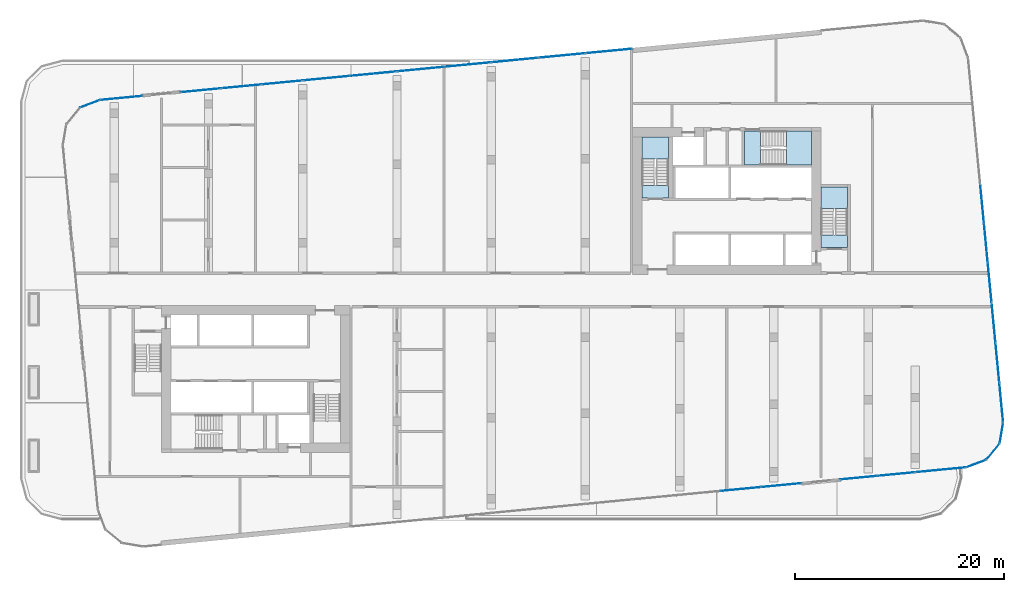
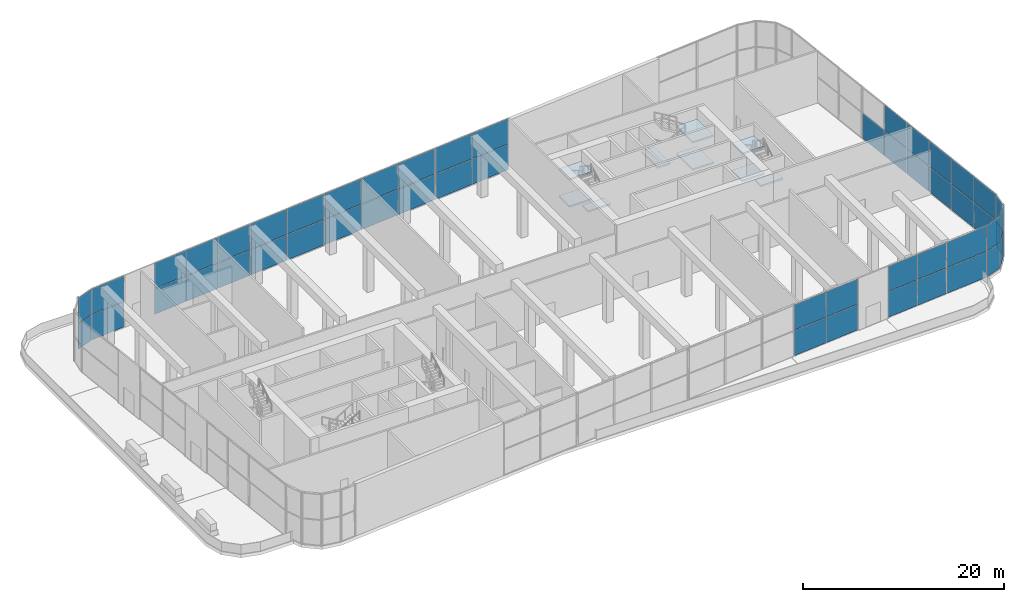
# One storey, part 10 of 25: 51 plates, 9 slabs, 17 elements without a shape of their own.
"""IFC4 building model written with IfcOpenShell, lengths in metres."""

from ifc_helpers import new_model, si_unit, direction, frame, origin, origin_2d, place, context, subcontext, project, spatial, polyline, rectangle, outline, extrude, material, layer, layer_set, type_object, element, aggregate, save


model = new_model("IFC4")

# Units and contexts
model_context = context("Model", 3, precision=1e-05, world=origin(), true_north=direction((0.0, 1.0)))
body_context = subcontext(model_context, "Body", "Model", "MODEL_VIEW")
ifc_project = project(units=[si_unit("LENGTHUNIT", "METRE"), si_unit("AREAUNIT", "SQUARE_METRE"), si_unit("VOLUMEUNIT", "CUBIC_METRE"), si_unit("PLANEANGLEUNIT", "RADIAN"), si_unit("MASSUNIT", "GRAM", prefix="KILO")], contexts=[model_context])

# Site, building, storey
site_placement = place(None, origin())
site = spatial("IfcSite", under=ifc_project, at=site_placement, CompositionType="ELEMENT")
building_placement = place(site_placement, origin())
building = spatial("IfcBuilding", under=site, at=building_placement, Name="Kajstack Hotel Tower", CompositionType="ELEMENT")
storey_placement = place(building_placement, frame((0.0, 0.0, 104.199951171875)))
storey = spatial("IfcBuildingStorey", under=building, at=storey_placement, Name="L22", CompositionType="ELEMENT", Elevation=104.199951171875)

# Curtain wall, plates
ifc_material_1 = material(Name="Aluminium-framed curtain wall, low-iron insulated glass", Category="aluminium")
curtain_wall_type = type_object("IfcCurtainWallType", Name="CW-GARDEN", PredefinedType="NOTDEFINED", material=ifc_material_1)
curtain_wall_1_placement = place(storey_placement, origin())
curtain_wall_1 = element("IfcCurtainWall", 1, at=curtain_wall_1_placement, inside=storey, type_object=curtain_wall_type, Name="Curtain wall CU6 L22-04-02-3", PredefinedType="NOTDEFINED")
ifc_material_2 = material(Name="Low-iron insulated glass", Category="glass")
ifc_layer_1 = layer(ifc_material_2, 0.0400390625)
ifc_layer_set_1 = layer_set([ifc_layer_1], Name="CW-P-GARDEN")
plate_type = type_object("IfcPlateType", Name="CW-P-GARDEN", PredefinedType="CURTAIN_PANEL", material=ifc_layer_set_1)
plate_1_placement = place(storey_placement, frame((23.846923828125, -19.012939453125, 0.06005859375), z_axis=(0.0, 0.0, 1.0), x_axis=(0.995396215044, 0.095845579329, 0.0)))
plate_1 = element("IfcPlate", 2, at=plate_1_placement, type_object=plate_type, Name="CU6 panel 2.1", PredefinedType="CURTAIN_PANEL", context=body_context, shape_type="SweptSolid", body=[
    extrude(rectangle(XDim=3.86083984375, YDim=0.0400390625, at=origin_2d()), origin(), (0.0, 0.0, 1.0), 3.070068359375),
])
plate_2_placement = place(storey_placement, frame((23.846923828125, -19.012939453125, 3.18994140625), z_axis=(0.0, 0.0, 1.0), x_axis=(0.995396215044, 0.095845579329, 0.0)))
plate_2 = element("IfcPlate", 3, at=plate_2_placement, type_object=plate_type, Name="CU6 panel 2.2", PredefinedType="CURTAIN_PANEL", context=body_context, shape_type="SweptSolid", body=[
    extrude(rectangle(XDim=3.86083984375, YDim=0.0400390625, at=origin_2d()), origin(), (0.0, 0.0, 1.0), 3.070068359375),
])
plate_3_placement = place(storey_placement, frame((27.73486328125, -18.638671875, 0.06005859375), z_axis=(0.0, 0.0, 1.0), x_axis=(0.995396215044, 0.095845579329, 0.0)))
plate_3 = element("IfcPlate", 4, at=plate_3_placement, type_object=plate_type, Name="CU6 panel 3.1", PredefinedType="CURTAIN_PANEL", context=body_context, shape_type="SweptSolid", body=[
    extrude(rectangle(XDim=3.830810546875, YDim=0.0400390625, at=origin_2d()), origin(), (0.0, 0.0, 1.0), 3.070068359375),
])
plate_4_placement = place(storey_placement, frame((27.73486328125, -18.638671875, 3.18994140625), z_axis=(0.0, 0.0, 1.0), x_axis=(0.995396215044, 0.095845579329, 0.0)))
plate_4 = element("IfcPlate", 5, at=plate_4_placement, type_object=plate_type, Name="CU6 panel 3.2", PredefinedType="CURTAIN_PANEL", context=body_context, shape_type="SweptSolid", body=[
    extrude(rectangle(XDim=3.830810546875, YDim=0.0400390625, at=origin_2d()), origin(), (0.0, 0.0, 1.0), 3.070068359375),
])
aggregate(curtain_wall_1, [plate_1, plate_2, plate_3, plate_4])

curtain_wall_2_placement = place(storey_placement, origin())
curtain_wall_2 = element("IfcCurtainWall", 6, at=curtain_wall_2_placement, inside=storey, type_object=curtain_wall_type, Name="Curtain wall CU6 L22-04-04-0", PredefinedType="NOTDEFINED")
plate_5_placement = place(storey_placement, frame((35.1015625, -17.929443359375, 0.06005859375), z_axis=(0.0, 0.0, 1.0), x_axis=(0.995396220594, 0.095845521686, 0.0)))
plate_5 = element("IfcPlate", 7, at=plate_5_placement, type_object=plate_type, Name="CU6 panel 1.1", PredefinedType="CURTAIN_PANEL", context=body_context, shape_type="SweptSolid", body=[
    extrude(rectangle(XDim=3.53076171875, YDim=0.0400390625, at=origin_2d()), origin(), (0.0, 0.0, 1.0), 3.070068359375),
])
plate_6_placement = place(storey_placement, frame((35.1015625, -17.929443359375, 3.18994140625), z_axis=(0.0, 0.0, 1.0), x_axis=(0.995396220594, 0.095845521686, 0.0)))
plate_6 = element("IfcPlate", 8, at=plate_6_placement, type_object=plate_type, Name="CU6 panel 1.2", PredefinedType="CURTAIN_PANEL", context=body_context, shape_type="SweptSolid", body=[
    extrude(rectangle(XDim=3.53076171875, YDim=0.0400390625, at=origin_2d()), origin(), (0.0, 0.0, 1.0), 3.070068359375),
])
plate_7_placement = place(storey_placement, frame((38.67578125, -17.585205078125, 0.06005859375), z_axis=(0.0, 0.0, 1.0), x_axis=(0.995396220594, 0.095845521686, 0.0)))
plate_7 = element("IfcPlate", 9, at=plate_7_placement, type_object=plate_type, Name="CU6 panel 2.1", PredefinedType="CURTAIN_PANEL", context=body_context, shape_type="SweptSolid", body=[
    extrude(rectangle(XDim=3.53076171875, YDim=0.0400390625, at=origin_2d()), origin(), (0.0, 0.0, 1.0), 3.070068359375),
])
plate_8_placement = place(storey_placement, frame((38.67578125, -17.585205078125, 3.18994140625), z_axis=(0.0, 0.0, 1.0), x_axis=(0.995396220594, 0.095845521686, 0.0)))
plate_8 = element("IfcPlate", 10, at=plate_8_placement, type_object=plate_type, Name="CU6 panel 2.2", PredefinedType="CURTAIN_PANEL", context=body_context, shape_type="SweptSolid", body=[
    extrude(rectangle(XDim=3.53076171875, YDim=0.0400390625, at=origin_2d()), origin(), (0.0, 0.0, 1.0), 3.070068359375),
])
aggregate(curtain_wall_2, [plate_5, plate_6, plate_7, plate_8])

curtain_wall_3_placement = place(storey_placement, origin())
curtain_wall_3 = element("IfcCurtainWall", 11, at=curtain_wall_3_placement, inside=storey, type_object=curtain_wall_type, Name="Curtain wall CU6 L22-04-04-1", PredefinedType="NOTDEFINED")
plate_9_placement = place(storey_placement, frame((42.93212890625, -17.17529296875, 0.06005859375), z_axis=(0.0, 0.0, 1.0), x_axis=(0.995396205734, 0.09584567601, 0.0)))
plate_9 = element("IfcPlate", 12, at=plate_9_placement, type_object=plate_type, Name="CU6 panel 1.1", PredefinedType="CURTAIN_PANEL", context=body_context, shape_type="SweptSolid", body=[
    extrude(rectangle(XDim=4.781494140625, YDim=0.0400390625, at=origin_2d()), origin(), (0.0, 0.0, 1.0), 3.070068359375),
])
plate_10_placement = place(storey_placement, frame((42.93212890625, -17.17529296875, 3.18994140625), z_axis=(0.0, 0.0, 1.0), x_axis=(0.995396205734, 0.09584567601, 0.0)))
plate_10 = element("IfcPlate", 13, at=plate_10_placement, type_object=plate_type, Name="CU6 panel 1.2", PredefinedType="CURTAIN_PANEL", context=body_context, shape_type="SweptSolid", body=[
    extrude(rectangle(XDim=4.781494140625, YDim=0.0400390625, at=origin_2d()), origin(), (0.0, 0.0, 1.0), 3.070068359375),
])
aggregate(curtain_wall_3, [plate_9, plate_10])

curtain_wall_4_placement = place(storey_placement, origin())
curtain_wall_4 = element("IfcCurtainWall", 14, at=curtain_wall_4_placement, inside=storey, type_object=curtain_wall_type, Name="Curtain wall CU6 L22-05-00-0", PredefinedType="NOTDEFINED")
plate_11_placement = place(storey_placement, frame((46.322265625, -16.582275390625, 0.06005859375), z_axis=(0.0, 0.0, 1.0), x_axis=(0.936680004881, 0.350186476689, 0.0)))
plate_11 = element("IfcPlate", 15, at=plate_11_placement, type_object=plate_type, Name="CU6 panel 1.1", PredefinedType="CURTAIN_PANEL", context=body_context, shape_type="SweptSolid", body=[
    extrude(rectangle(XDim=1.95068359375, YDim=0.0400390625, at=origin_2d()), origin(), (0.0, 0.0, 1.0), 3.070068359375),
])
plate_12_placement = place(storey_placement, frame((46.322265625, -16.582275390625, 3.18994140625), z_axis=(0.0, 0.0, 1.0), x_axis=(0.936680004881, 0.350186476689, 0.0)))
plate_12 = element("IfcPlate", 16, at=plate_12_placement, type_object=plate_type, Name="CU6 panel 1.2", PredefinedType="CURTAIN_PANEL", context=body_context, shape_type="SweptSolid", body=[
    extrude(rectangle(XDim=1.95068359375, YDim=0.0400390625, at=origin_2d()), origin(), (0.0, 0.0, 1.0), 3.070068359375),
])
aggregate(curtain_wall_4, [plate_11, plate_12])

curtain_wall_5_placement = place(storey_placement, origin())
curtain_wall_5 = element("IfcCurtainWall", 17, at=curtain_wall_5_placement, inside=storey, type_object=curtain_wall_type, Name="Curtain wall CU6 L22-06-00-0", PredefinedType="NOTDEFINED")
plate_13_placement = place(storey_placement, frame((47.9189453125, -15.443359375, 0.06005859375), z_axis=(0.0, 0.0, 1.0), x_axis=(0.636066072627, 0.771634596978, 0.0)))
plate_13 = element("IfcPlate", 18, at=plate_13_placement, type_object=plate_type, Name="CU6 panel 1.1", PredefinedType="CURTAIN_PANEL", context=body_context, shape_type="SweptSolid", body=[
    extrude(rectangle(XDim=1.950439453125, YDim=0.0400390625, at=origin_2d()), origin(), (0.0, 0.0, 1.0), 3.070068359375),
])
plate_14_placement = place(storey_placement, frame((47.9189453125, -15.443359375, 3.18994140625), z_axis=(0.0, 0.0, 1.0), x_axis=(0.636066072627, 0.771634596978, 0.0)))
plate_14 = element("IfcPlate", 19, at=plate_14_placement, type_object=plate_type, Name="CU6 panel 1.2", PredefinedType="CURTAIN_PANEL", context=body_context, shape_type="SweptSolid", body=[
    extrude(rectangle(XDim=1.950439453125, YDim=0.0400390625, at=origin_2d()), origin(), (0.0, 0.0, 1.0), 3.070068359375),
])
aggregate(curtain_wall_5, [plate_13, plate_14])

curtain_wall_6_placement = place(storey_placement, origin())
curtain_wall_6 = element("IfcCurtainWall", 20, at=curtain_wall_6_placement, inside=storey, type_object=curtain_wall_type, Name="Curtain wall CU6 L22-07-00-0", PredefinedType="NOTDEFINED")
plate_15_placement = place(storey_placement, frame((48.732177734375, -13.658935546875, 0.06005859375), z_axis=(0.0, 0.0, 1.0), x_axis=(0.165025489464, 0.986289302298, 0.0)))
plate_15 = element("IfcPlate", 21, at=plate_15_placement, type_object=plate_type, Name="CU6 panel 1.1", PredefinedType="CURTAIN_PANEL", context=body_context, shape_type="SweptSolid", body=[
    extrude(rectangle(XDim=1.95068359375, YDim=0.0400390625, at=origin_2d()), origin(), (0.0, 0.0, 1.0), 3.070068359375),
])
plate_16_placement = place(storey_placement, frame((48.732177734375, -13.658935546875, 3.18994140625), z_axis=(0.0, 0.0, 1.0), x_axis=(0.165025489464, 0.986289302298, 0.0)))
plate_16 = element("IfcPlate", 22, at=plate_16_placement, type_object=plate_type, Name="CU6 panel 1.2", PredefinedType="CURTAIN_PANEL", context=body_context, shape_type="SweptSolid", body=[
    extrude(rectangle(XDim=1.95068359375, YDim=0.0400390625, at=origin_2d()), origin(), (0.0, 0.0, 1.0), 3.070068359375),
])
aggregate(curtain_wall_6, [plate_15, plate_16])

curtain_wall_7_placement = place(storey_placement, origin())
curtain_wall_7 = element("IfcCurtainWall", 23, at=curtain_wall_7_placement, inside=storey, type_object=curtain_wall_type, Name="Curtain wall CU6 L22-08-00-0", PredefinedType="NOTDEFINED")
plate_17_placement = place(storey_placement, frame((48.717041015625, -10.73388671875, 0.06005859375), z_axis=(0.0, 0.0, 1.0), x_axis=(-0.095845904308, 0.995396183752, 0.0)))
plate_17 = element("IfcPlate", 24, at=plate_17_placement, type_object=plate_type, Name="CU6 panel 1.1", PredefinedType="CURTAIN_PANEL", context=body_context, shape_type="SweptSolid", body=[
    extrude(rectangle(XDim=3.744384765625, YDim=0.0400390625, at=origin_2d()), origin(), (0.0, 0.0, 1.0), 3.070068359375),
])
plate_18_placement = place(storey_placement, frame((48.717041015625, -10.73388671875, 3.18994140625), z_axis=(0.0, 0.0, 1.0), x_axis=(-0.095845904308, 0.995396183752, 0.0)))
plate_18 = element("IfcPlate", 25, at=plate_18_placement, type_object=plate_type, Name="CU6 panel 1.2", PredefinedType="CURTAIN_PANEL", context=body_context, shape_type="SweptSolid", body=[
    extrude(rectangle(XDim=3.744384765625, YDim=0.0400390625, at=origin_2d()), origin(), (0.0, 0.0, 1.0), 3.070068359375),
])
plate_19_placement = place(storey_placement, frame((48.35107421875, -6.93212890625, 0.06005859375), z_axis=(0.0, 0.0, 1.0), x_axis=(-0.095845904308, 0.995396183752, 0.0)))
plate_19 = element("IfcPlate", 26, at=plate_19_placement, type_object=plate_type, Name="CU6 panel 2.1", PredefinedType="CURTAIN_PANEL", context=body_context, shape_type="SweptSolid", body=[
    extrude(rectangle(XDim=3.7744140625, YDim=0.0400390625, at=origin_2d()), origin(), (0.0, 0.0, 1.0), 3.070068359375),
])
plate_20_placement = place(storey_placement, frame((48.35107421875, -6.93212890625, 3.18994140625), z_axis=(0.0, 0.0, 1.0), x_axis=(-0.095845904308, 0.995396183752, 0.0)))
plate_20 = element("IfcPlate", 27, at=plate_20_placement, type_object=plate_type, Name="CU6 panel 2.2", PredefinedType="CURTAIN_PANEL", context=body_context, shape_type="SweptSolid", body=[
    extrude(rectangle(XDim=3.7744140625, YDim=0.0400390625, at=origin_2d()), origin(), (0.0, 0.0, 1.0), 3.070068359375),
])
plate_21_placement = place(storey_placement, frame((47.985107421875, -3.13037109375, 0.06005859375), z_axis=(0.0, 0.0, 1.0), x_axis=(-0.095845904308, 0.995396183752, 0.0)))
plate_21 = element("IfcPlate", 28, at=plate_21_placement, type_object=plate_type, Name="CU6 panel 3.1", PredefinedType="CURTAIN_PANEL", context=body_context, shape_type="SweptSolid", body=[
    extrude(rectangle(XDim=3.744384765625, YDim=0.0400390625, at=origin_2d()), origin(), (0.0, 0.0, 1.0), 3.070068359375),
])
plate_22_placement = place(storey_placement, frame((47.985107421875, -3.13037109375, 3.18994140625), z_axis=(0.0, 0.0, 1.0), x_axis=(-0.095845904308, 0.995396183752, 0.0)))
plate_22 = element("IfcPlate", 29, at=plate_22_placement, type_object=plate_type, Name="CU6 panel 3.2", PredefinedType="CURTAIN_PANEL", context=body_context, shape_type="SweptSolid", body=[
    extrude(rectangle(XDim=3.744384765625, YDim=0.0400390625, at=origin_2d()), origin(), (0.0, 0.0, 1.0), 3.070068359375),
])
aggregate(curtain_wall_7, [plate_17, plate_18, plate_19, plate_20, plate_21, plate_22])

curtain_wall_8_placement = place(storey_placement, origin())
curtain_wall_8 = element("IfcCurtainWall", 30, at=curtain_wall_8_placement, inside=storey, type_object=curtain_wall_type, Name="Curtain wall CU6 L22-08-00-1", PredefinedType="NOTDEFINED")
plate_23_placement = place(storey_placement, frame((47.615478515625, 0.707763671875, 0.06005859375), z_axis=(0.0, 0.0, 1.0), x_axis=(-0.095845864541, 0.995396187581, 0.0)))
plate_23 = element("IfcPlate", 31, at=plate_23_placement, type_object=plate_type, Name="CU6 panel 1.1", PredefinedType="CURTAIN_PANEL", context=body_context, shape_type="SweptSolid", body=[
    extrude(rectangle(XDim=3.7275390625, YDim=0.0400390625, at=origin_2d()), origin(), (0.0, 0.0, 1.0), 3.070068359375),
])
plate_24_placement = place(storey_placement, frame((47.615478515625, 0.707763671875, 3.18994140625), z_axis=(0.0, 0.0, 1.0), x_axis=(-0.095845864541, 0.995396187581, 0.0)))
plate_24 = element("IfcPlate", 32, at=plate_24_placement, type_object=plate_type, Name="CU6 panel 1.2", PredefinedType="CURTAIN_PANEL", context=body_context, shape_type="SweptSolid", body=[
    extrude(rectangle(XDim=3.7275390625, YDim=0.0400390625, at=origin_2d()), origin(), (0.0, 0.0, 1.0), 3.070068359375),
])
plate_25_placement = place(storey_placement, frame((47.2509765625, 4.492919921875, 0.06005859375), z_axis=(0.0, 0.0, 1.0), x_axis=(-0.095845864541, 0.995396187581, 0.0)))
plate_25 = element("IfcPlate", 33, at=plate_25_placement, type_object=plate_type, Name="CU6 panel 2.1", PredefinedType="CURTAIN_PANEL", context=body_context, shape_type="SweptSolid", body=[
    extrude(rectangle(XDim=3.757568359375, YDim=0.0400390625, at=origin_2d()), origin(), (0.0, 0.0, 1.0), 3.070068359375),
])
plate_26_placement = place(storey_placement, frame((47.2509765625, 4.492919921875, 3.18994140625), z_axis=(0.0, 0.0, 1.0), x_axis=(-0.095845864541, 0.995396187581, 0.0)))
plate_26 = element("IfcPlate", 34, at=plate_26_placement, type_object=plate_type, Name="CU6 panel 2.2", PredefinedType="CURTAIN_PANEL", context=body_context, shape_type="SweptSolid", body=[
    extrude(rectangle(XDim=3.757568359375, YDim=0.0400390625, at=origin_2d()), origin(), (0.0, 0.0, 1.0), 3.070068359375),
])
plate_27_placement = place(storey_placement, frame((46.886474609375, 8.27783203125, 0.06005859375), z_axis=(0.0, 0.0, 1.0), x_axis=(-0.095845864541, 0.995396187581, 0.0)))
plate_27 = element("IfcPlate", 35, at=plate_27_placement, type_object=plate_type, Name="CU6 panel 3.1", PredefinedType="CURTAIN_PANEL", context=body_context, shape_type="SweptSolid", body=[
    extrude(rectangle(XDim=3.7275390625, YDim=0.0400390625, at=origin_2d()), origin(), (0.0, 0.0, 1.0), 3.070068359375),
])
aggregate(curtain_wall_8, [plate_23, plate_24, plate_25, plate_26, plate_27])

curtain_wall_9_placement = place(storey_placement, origin())
curtain_wall_9 = element("IfcCurtainWall", 36, at=curtain_wall_9_placement, inside=storey, type_object=curtain_wall_type, Name="Curtain wall CU6 L22-12-02-0", PredefinedType="NOTDEFINED")
plate_28_placement = place(storey_placement, frame((11.2421875, 22.821533203125, 0.06005859375), z_axis=(0.0, 0.0, 1.0), x_axis=(-0.995396218735, -0.095845540987, 0.0)))
plate_28 = element("IfcPlate", 37, at=plate_28_placement, type_object=plate_type, Name="CU6 panel 1.1", PredefinedType="CURTAIN_PANEL", context=body_context, shape_type="SweptSolid", body=[
    extrude(rectangle(XDim=4.430908203125, YDim=0.0400390625, at=origin_2d()), origin(), (0.0, 0.0, 1.0), 3.070068359375),
])
plate_29_placement = place(storey_placement, frame((11.2421875, 22.821533203125, 3.18994140625), z_axis=(0.0, 0.0, 1.0), x_axis=(-0.995396218735, -0.095845540987, 0.0)))
plate_29 = element("IfcPlate", 38, at=plate_29_placement, type_object=plate_type, Name="CU6 panel 1.2", PredefinedType="CURTAIN_PANEL", context=body_context, shape_type="SweptSolid", body=[
    extrude(rectangle(XDim=4.430908203125, YDim=0.0400390625, at=origin_2d()), origin(), (0.0, 0.0, 1.0), 3.070068359375),
])
plate_30_placement = place(storey_placement, frame((6.772216796875, 22.39111328125, 0.06005859375), z_axis=(0.0, 0.0, 1.0), x_axis=(-0.995396218735, -0.095845540987, 0.0)))
plate_30 = element("IfcPlate", 39, at=plate_30_placement, type_object=plate_type, Name="CU6 panel 2.1", PredefinedType="CURTAIN_PANEL", context=body_context, shape_type="SweptSolid", body=[
    extrude(rectangle(XDim=4.430908203125, YDim=0.0400390625, at=origin_2d()), origin(), (0.0, 0.0, 1.0), 3.070068359375),
])
plate_31_placement = place(storey_placement, frame((6.772216796875, 22.39111328125, 3.18994140625), z_axis=(0.0, 0.0, 1.0), x_axis=(-0.995396218735, -0.095845540987, 0.0)))
plate_31 = element("IfcPlate", 40, at=plate_31_placement, type_object=plate_type, Name="CU6 panel 2.2", PredefinedType="CURTAIN_PANEL", context=body_context, shape_type="SweptSolid", body=[
    extrude(rectangle(XDim=4.430908203125, YDim=0.0400390625, at=origin_2d()), origin(), (0.0, 0.0, 1.0), 3.070068359375),
])
aggregate(curtain_wall_9, [plate_28, plate_29, plate_30, plate_31])

curtain_wall_10_placement = place(storey_placement, origin())
curtain_wall_10 = element("IfcCurtainWall", 41, at=curtain_wall_10_placement, inside=storey, type_object=curtain_wall_type, Name="Curtain wall CU6 L22-12-02-1", PredefinedType="NOTDEFINED")
plate_32_placement = place(storey_placement, frame((2.2421875, 21.954833984375, 0.06005859375), z_axis=(0.0, 0.0, 1.0), x_axis=(-0.995396215218, -0.095845577523, 0.0)))
plate_32 = element("IfcPlate", 42, at=plate_32_placement, type_object=plate_type, Name="CU6 panel 1.1", PredefinedType="CURTAIN_PANEL", context=body_context, shape_type="SweptSolid", body=[
    extrude(rectangle(XDim=4.430908203125, YDim=0.0400390625, at=origin_2d()), origin(), (0.0, 0.0, 1.0), 3.070068359375),
])
plate_33_placement = place(storey_placement, frame((2.2421875, 21.954833984375, 3.18994140625), z_axis=(0.0, 0.0, 1.0), x_axis=(-0.995396215218, -0.095845577523, 0.0)))
plate_33 = element("IfcPlate", 43, at=plate_33_placement, type_object=plate_type, Name="CU6 panel 1.2", PredefinedType="CURTAIN_PANEL", context=body_context, shape_type="SweptSolid", body=[
    extrude(rectangle(XDim=4.430908203125, YDim=0.0400390625, at=origin_2d()), origin(), (0.0, 0.0, 1.0), 3.070068359375),
])
plate_34_placement = place(storey_placement, frame((-2.24267578125, 21.52294921875, 0.06005859375), z_axis=(0.0, 0.0, 1.0), x_axis=(-0.995396215218, -0.095845577523, 0.0)))
plate_34 = element("IfcPlate", 44, at=plate_34_placement, type_object=plate_type, Name="CU6 panel 2.1", PredefinedType="CURTAIN_PANEL", context=body_context, shape_type="SweptSolid", body=[
    extrude(rectangle(XDim=4.460693359375, YDim=0.0400390625, at=origin_2d()), origin(), (0.0, 0.0, 1.0), 3.070068359375),
])
plate_35_placement = place(storey_placement, frame((-2.24267578125, 21.52294921875, 3.18994140625), z_axis=(0.0, 0.0, 1.0), x_axis=(-0.995396215218, -0.095845577523, 0.0)))
plate_35 = element("IfcPlate", 45, at=plate_35_placement, type_object=plate_type, Name="CU6 panel 2.2", PredefinedType="CURTAIN_PANEL", context=body_context, shape_type="SweptSolid", body=[
    extrude(rectangle(XDim=4.460693359375, YDim=0.0400390625, at=origin_2d()), origin(), (0.0, 0.0, 1.0), 3.070068359375),
])
plate_36_placement = place(storey_placement, frame((-6.727783203125, 21.091064453125, 0.06005859375), z_axis=(0.0, 0.0, 1.0), x_axis=(-0.995396215218, -0.095845577523, 0.0)))
plate_36 = element("IfcPlate", 46, at=plate_36_placement, type_object=plate_type, Name="CU6 panel 3.1", PredefinedType="CURTAIN_PANEL", context=body_context, shape_type="SweptSolid", body=[
    extrude(rectangle(XDim=4.430908203125, YDim=0.0400390625, at=origin_2d()), origin(), (0.0, 0.0, 1.0), 3.070068359375),
])
plate_37_placement = place(storey_placement, frame((-6.727783203125, 21.091064453125, 3.18994140625), z_axis=(0.0, 0.0, 1.0), x_axis=(-0.995396215218, -0.095845577523, 0.0)))
plate_37 = element("IfcPlate", 47, at=plate_37_placement, type_object=plate_type, Name="CU6 panel 3.2", PredefinedType="CURTAIN_PANEL", context=body_context, shape_type="SweptSolid", body=[
    extrude(rectangle(XDim=4.430908203125, YDim=0.0400390625, at=origin_2d()), origin(), (0.0, 0.0, 1.0), 3.070068359375),
])
aggregate(curtain_wall_10, [plate_32, plate_33, plate_34, plate_35, plate_36, plate_37])

curtain_wall_11_placement = place(storey_placement, origin())
curtain_wall_11 = element("IfcCurtainWall", 48, at=curtain_wall_11_placement, inside=storey, type_object=curtain_wall_type, Name="Curtain wall CU6 L22-12-02-2", PredefinedType="NOTDEFINED")
plate_38_placement = place(storey_placement, frame((-11.2578125, 20.655029296875, 0.06005859375), z_axis=(0.0, 0.0, 1.0), x_axis=(-0.995396214819, -0.095845581657, 0.0)))
plate_38 = element("IfcPlate", 49, at=plate_38_placement, type_object=plate_type, Name="CU6 panel 1.1", PredefinedType="CURTAIN_PANEL", context=body_context, shape_type="SweptSolid", body=[
    extrude(rectangle(XDim=4.430908203125, YDim=0.0400390625, at=origin_2d()), origin(), (0.0, 0.0, 1.0), 3.070068359375),
])
plate_39_placement = place(storey_placement, frame((-11.2578125, 20.655029296875, 3.18994140625), z_axis=(0.0, 0.0, 1.0), x_axis=(-0.995396214819, -0.095845581657, 0.0)))
plate_39 = element("IfcPlate", 50, at=plate_39_placement, type_object=plate_type, Name="CU6 panel 1.2", PredefinedType="CURTAIN_PANEL", context=body_context, shape_type="SweptSolid", body=[
    extrude(rectangle(XDim=4.430908203125, YDim=0.0400390625, at=origin_2d()), origin(), (0.0, 0.0, 1.0), 3.070068359375),
])
plate_40_placement = place(storey_placement, frame((-15.727783203125, 20.224609375, 0.06005859375), z_axis=(0.0, 0.0, 1.0), x_axis=(-0.995396214819, -0.095845581657, 0.0)))
plate_40 = element("IfcPlate", 51, at=plate_40_placement, type_object=plate_type, Name="CU6 panel 2.1", PredefinedType="CURTAIN_PANEL", context=body_context, shape_type="SweptSolid", body=[
    extrude(rectangle(XDim=4.430908203125, YDim=0.0400390625, at=origin_2d()), origin(), (0.0, 0.0, 1.0), 3.070068359375),
])
plate_41_placement = place(storey_placement, frame((-15.727783203125, 20.224609375, 3.18994140625), z_axis=(0.0, 0.0, 1.0), x_axis=(-0.995396214819, -0.095845581657, 0.0)))
plate_41 = element("IfcPlate", 52, at=plate_41_placement, type_object=plate_type, Name="CU6 panel 2.2", PredefinedType="CURTAIN_PANEL", context=body_context, shape_type="SweptSolid", body=[
    extrude(rectangle(XDim=4.430908203125, YDim=0.0400390625, at=origin_2d()), origin(), (0.0, 0.0, 1.0), 3.070068359375),
])
aggregate(curtain_wall_11, [plate_38, plate_39, plate_40, plate_41])

curtain_wall_12_placement = place(storey_placement, origin())
curtain_wall_12 = element("IfcCurtainWall", 53, at=curtain_wall_12_placement, inside=storey, type_object=curtain_wall_type, Name="Curtain wall CU6 L22-12-02-3", PredefinedType="NOTDEFINED")
plate_42_placement = place(storey_placement, frame((-19.959228515625, 19.817138671875, 0.06005859375), z_axis=(0.0, 0.0, 1.0), x_axis=(-0.995396215044, -0.095845579329, 0.0)))
plate_42 = element("IfcPlate", 54, at=plate_42_placement, type_object=plate_type, Name="CU6 panel 1.1", PredefinedType="CURTAIN_PANEL", context=body_context, shape_type="SweptSolid", body=[
    extrude(rectangle(XDim=3.830810546875, YDim=0.0400390625, at=origin_2d()), origin(), (0.0, 0.0, 1.0), 3.070068359375),
])
plate_43_placement = place(storey_placement, frame((-19.959228515625, 19.817138671875, 3.18994140625), z_axis=(0.0, 0.0, 1.0), x_axis=(-0.995396215044, -0.095845579329, 0.0)))
plate_43 = element("IfcPlate", 55, at=plate_43_placement, type_object=plate_type, Name="CU6 panel 1.2", PredefinedType="CURTAIN_PANEL", context=body_context, shape_type="SweptSolid", body=[
    extrude(rectangle(XDim=3.830810546875, YDim=0.0400390625, at=origin_2d()), origin(), (0.0, 0.0, 1.0), 3.070068359375),
])
plate_44_placement = place(storey_placement, frame((-23.846923828125, 19.442626953125, 0.06005859375), z_axis=(0.0, 0.0, 1.0), x_axis=(-0.995396215044, -0.095845579329, 0.0)))
plate_44 = element("IfcPlate", 56, at=plate_44_placement, type_object=plate_type, Name="CU6 panel 2.1", PredefinedType="CURTAIN_PANEL", context=body_context, shape_type="SweptSolid", body=[
    extrude(rectangle(XDim=3.86083984375, YDim=0.0400390625, at=origin_2d()), origin(), (0.0, 0.0, 1.0), 3.070068359375),
])
plate_45_placement = place(storey_placement, frame((-23.846923828125, 19.442626953125, 3.18994140625), z_axis=(0.0, 0.0, 1.0), x_axis=(-0.995396215044, -0.095845579329, 0.0)))
plate_45 = element("IfcPlate", 57, at=plate_45_placement, type_object=plate_type, Name="CU6 panel 2.2", PredefinedType="CURTAIN_PANEL", context=body_context, shape_type="SweptSolid", body=[
    extrude(rectangle(XDim=3.86083984375, YDim=0.0400390625, at=origin_2d()), origin(), (0.0, 0.0, 1.0), 3.070068359375),
])
plate_46_placement = place(storey_placement, frame((-27.73486328125, 19.068359375, 0.06005859375), z_axis=(0.0, 0.0, 1.0), x_axis=(-0.995396215044, -0.095845579329, 0.0)))
plate_46 = element("IfcPlate", 58, at=plate_46_placement, type_object=plate_type, Name="CU6 panel 3.1", PredefinedType="CURTAIN_PANEL", context=body_context, shape_type="SweptSolid", body=[
    extrude(rectangle(XDim=3.830810546875, YDim=0.0400390625, at=origin_2d()), origin(), (0.0, 0.0, 1.0), 3.070068359375),
])
plate_47_placement = place(storey_placement, frame((-27.73486328125, 19.068359375, 3.18994140625), z_axis=(0.0, 0.0, 1.0), x_axis=(-0.995396215044, -0.095845579329, 0.0)))
plate_47 = element("IfcPlate", 59, at=plate_47_placement, type_object=plate_type, Name="CU6 panel 3.2", PredefinedType="CURTAIN_PANEL", context=body_context, shape_type="SweptSolid", body=[
    extrude(rectangle(XDim=3.830810546875, YDim=0.0400390625, at=origin_2d()), origin(), (0.0, 0.0, 1.0), 3.070068359375),
])
aggregate(curtain_wall_12, [plate_42, plate_43, plate_44, plate_45, plate_46, plate_47])

curtain_wall_13_placement = place(storey_placement, origin())
curtain_wall_13 = element("IfcCurtainWall", 60, at=curtain_wall_13_placement, inside=storey, type_object=curtain_wall_type, Name="Curtain wall CU6 L22-12-04-0", PredefinedType="NOTDEFINED")
plate_48_placement = place(storey_placement, frame((-35.328125, 18.337158203125, 0.06005859375), z_axis=(0.0, 0.0, 1.0), x_axis=(-0.995396214167, -0.095845588433, 0.0)))
plate_48 = element("IfcPlate", 61, at=plate_48_placement, type_object=plate_type, Name="CU6 panel 1.1", PredefinedType="CURTAIN_PANEL", context=body_context, shape_type="SweptSolid", body=[
    extrude(rectangle(XDim=3.986083984375, YDim=0.0400390625, at=origin_2d()), origin(), (0.0, 0.0, 1.0), 3.070068359375),
])
plate_49_placement = place(storey_placement, frame((-35.328125, 18.337158203125, 3.18994140625), z_axis=(0.0, 0.0, 1.0), x_axis=(-0.995396214167, -0.095845588433, 0.0)))
plate_49 = element("IfcPlate", 62, at=plate_49_placement, type_object=plate_type, Name="CU6 panel 1.2", PredefinedType="CURTAIN_PANEL", context=body_context, shape_type="SweptSolid", body=[
    extrude(rectangle(XDim=3.986083984375, YDim=0.0400390625, at=origin_2d()), origin(), (0.0, 0.0, 1.0), 3.070068359375),
])
aggregate(curtain_wall_13, [plate_48, plate_49])

curtain_wall_14_placement = place(storey_placement, origin())
curtain_wall_14 = element("IfcCurtainWall", 63, at=curtain_wall_14_placement, inside=storey, type_object=curtain_wall_type, Name="Curtain wall CU6 L22-13-00-0", PredefinedType="NOTDEFINED")
plate_50_placement = place(storey_placement, frame((-38.322265625, 17.7822265625, 0.06005859375), z_axis=(0.0, 0.0, 1.0), x_axis=(-0.936680004881, -0.350186476689, 0.0)))
plate_50 = element("IfcPlate", 64, at=plate_50_placement, type_object=plate_type, Name="CU6 panel 1.1", PredefinedType="CURTAIN_PANEL", context=body_context, shape_type="SweptSolid", body=[
    extrude(rectangle(XDim=1.95068359375, YDim=0.0400390625, at=origin_2d()), origin(), (0.0, 0.0, 1.0), 3.070068359375),
])
plate_51_placement = place(storey_placement, frame((-38.322265625, 17.7822265625, 3.18994140625), z_axis=(0.0, 0.0, 1.0), x_axis=(-0.936680004881, -0.350186476689, 0.0)))
plate_51 = element("IfcPlate", 65, at=plate_51_placement, type_object=plate_type, Name="CU6 panel 1.2", PredefinedType="CURTAIN_PANEL", context=body_context, shape_type="SweptSolid", body=[
    extrude(rectangle(XDim=1.95068359375, YDim=0.0400390625, at=origin_2d()), origin(), (0.0, 0.0, 1.0), 3.070068359375),
])
aggregate(curtain_wall_14, [plate_50, plate_51])

# Stair, slabs
ifc_material_3 = material(Name="Concrete C40/50", Category="concrete")
stair_type_1 = type_object("IfcStairType", Name="Exit stair 1200", PredefinedType="HALF_TURN_STAIR", material=ifc_material_3)
stair_1_placement = place(storey_placement, origin())
stair_1 = element("IfcStair", 66, at=stair_1_placement, inside=storey, type_object=stair_type_1, Name="L22 stair E1", PredefinedType="HALF_TURN_STAIR")
ifc_layer_2 = layer(ifc_material_3, 0.199951171875)
ifc_layer_set_2 = layer_set([ifc_layer_2], Name="Stair landing 200")
slab_type = type_object("IfcSlabType", Name="Stair landing 200", PredefinedType="LANDING", material=ifc_layer_set_2)
slab_1_placement = place(storey_placement, frame((0.0, 0.0, 1.449951171875)))
slab_1 = element("IfcSlab", 67, at=slab_1_placement, type_object=slab_type, Name="E1 landing 1", PredefinedType="LANDING", context=body_context, shape_type="SweptSolid", body=[
    extrude(outline(polyline([(34.050048828125, 7.77001953125), (34.050048828125, 9.85009765625), (31.5, 9.85009765625), (31.5, 7.77001953125), (34.050048828125, 7.77001953125)])), origin(), (0.0, 0.0, 1.0), 0.2001953125),
])
slab_2_placement = place(storey_placement, frame((0.0, 0.0, 3.10009765625)))
slab_2 = element("IfcSlab", 68, at=slab_2_placement, type_object=slab_type, Name="E1 landing 2", PredefinedType="LANDING", context=body_context, shape_type="SweptSolid", body=[
    extrude(outline(polyline([(34.050048828125, 4.050048828125), (34.050048828125, 5.25), (31.5, 5.25), (31.5, 4.050048828125), (34.050048828125, 4.050048828125)])), origin(), (0.0, 0.0, 1.0), 0.199951171875),
])
slab_3_placement = place(storey_placement, frame((0.0, 0.0, 4.75)))
slab_3 = element("IfcSlab", 69, at=slab_3_placement, type_object=slab_type, Name="E1 landing 3", PredefinedType="LANDING", context=body_context, shape_type="SweptSolid", body=[
    extrude(outline(polyline([(34.050048828125, 7.77001953125), (34.050048828125, 9.85009765625), (31.5, 9.85009765625), (31.5, 7.77001953125), (34.050048828125, 7.77001953125)])), origin(), (0.0, 0.0, 1.0), 0.199951171875),
])
aggregate(stair_1, [slab_1, slab_2, slab_3])

stair_2_placement = place(storey_placement, origin())
stair_2 = element("IfcStair", 70, at=stair_2_placement, inside=storey, type_object=stair_type_1, Name="L22 stair E2", PredefinedType="HALF_TURN_STAIR")
slab_4_placement = place(storey_placement, frame((0.0, 0.0, 1.449951171875)))
slab_4 = element("IfcSlab", 71, at=slab_4_placement, type_object=slab_type, Name="E2 landing 1", PredefinedType="LANDING", context=body_context, shape_type="SweptSolid", body=[
    extrude(outline(polyline([(16.949951171875, 12.52001953125), (16.949951171875, 14.60009765625), (14.39990234375, 14.60009765625), (14.39990234375, 12.52001953125), (16.949951171875, 12.52001953125)])), origin(), (0.0, 0.0, 1.0), 0.2001953125),
])
slab_5_placement = place(storey_placement, frame((0.0, 0.0, 3.10009765625)))
slab_5 = element("IfcSlab", 72, at=slab_5_placement, type_object=slab_type, Name="E2 landing 2", PredefinedType="LANDING", context=body_context, shape_type="SweptSolid", body=[
    extrude(outline(polyline([(16.949951171875, 8.800048828125), (16.949951171875, 10.0), (14.39990234375, 10.0), (14.39990234375, 8.800048828125), (16.949951171875, 8.800048828125)])), origin(), (0.0, 0.0, 1.0), 0.199951171875),
])
slab_6_placement = place(storey_placement, frame((0.0, 0.0, 4.75)))
slab_6 = element("IfcSlab", 73, at=slab_6_placement, type_object=slab_type, Name="E2 landing 3", PredefinedType="LANDING", context=body_context, shape_type="SweptSolid", body=[
    extrude(outline(polyline([(16.949951171875, 12.52001953125), (16.949951171875, 14.60009765625), (14.39990234375, 14.60009765625), (14.39990234375, 12.52001953125), (16.949951171875, 12.52001953125)])), origin(), (0.0, 0.0, 1.0), 0.199951171875),
])
aggregate(stair_2, [slab_4, slab_5, slab_6])

stair_type_2 = type_object("IfcStairType", Name="Exit stair 1500", PredefinedType="HALF_TURN_STAIR", material=ifc_material_3)
stair_3_placement = place(storey_placement, origin())
stair_3 = element("IfcStair", 74, at=stair_3_placement, inside=storey, type_object=stair_type_2, Name="L22 stair E3", PredefinedType="HALF_TURN_STAIR")
slab_7_placement = place(storey_placement, frame((0.0, 0.0, 1.449951171875)))
slab_7 = element("IfcSlab", 75, at=slab_7_placement, type_object=slab_type, Name="E3 landing 1", PredefinedType="LANDING", context=body_context, shape_type="SweptSolid", body=[
    extrude(outline(polyline([(28.219970703125, 11.949951171875), (30.60009765625, 11.949951171875), (30.60009765625, 15.199951171875), (28.219970703125, 15.199951171875), (28.219970703125, 11.949951171875)])), origin(), (0.0, 0.0, 1.0), 0.2001953125),
])
slab_8_placement = place(storey_placement, frame((0.0, 0.0, 3.10009765625)))
slab_8 = element("IfcSlab", 76, at=slab_8_placement, type_object=slab_type, Name="E3 landing 2", PredefinedType="LANDING", context=body_context, shape_type="SweptSolid", body=[
    extrude(outline(polyline([(24.199951171875, 11.949951171875), (25.699951171875, 11.949951171875), (25.699951171875, 15.199951171875), (24.199951171875, 15.199951171875), (24.199951171875, 11.949951171875)])), origin(), (0.0, 0.0, 1.0), 0.199951171875),
])
slab_9_placement = place(storey_placement, frame((0.0, 0.0, 4.75)))
slab_9 = element("IfcSlab", 77, at=slab_9_placement, type_object=slab_type, Name="E3 landing 3", PredefinedType="LANDING", context=body_context, shape_type="SweptSolid", body=[
    extrude(outline(polyline([(28.219970703125, 11.949951171875), (30.60009765625, 11.949951171875), (30.60009765625, 15.199951171875), (28.219970703125, 15.199951171875), (28.219970703125, 11.949951171875)])), origin(), (0.0, 0.0, 1.0), 0.199951171875),
])
aggregate(stair_3, [slab_7, slab_8, slab_9])

save(model, "model.ifc")
